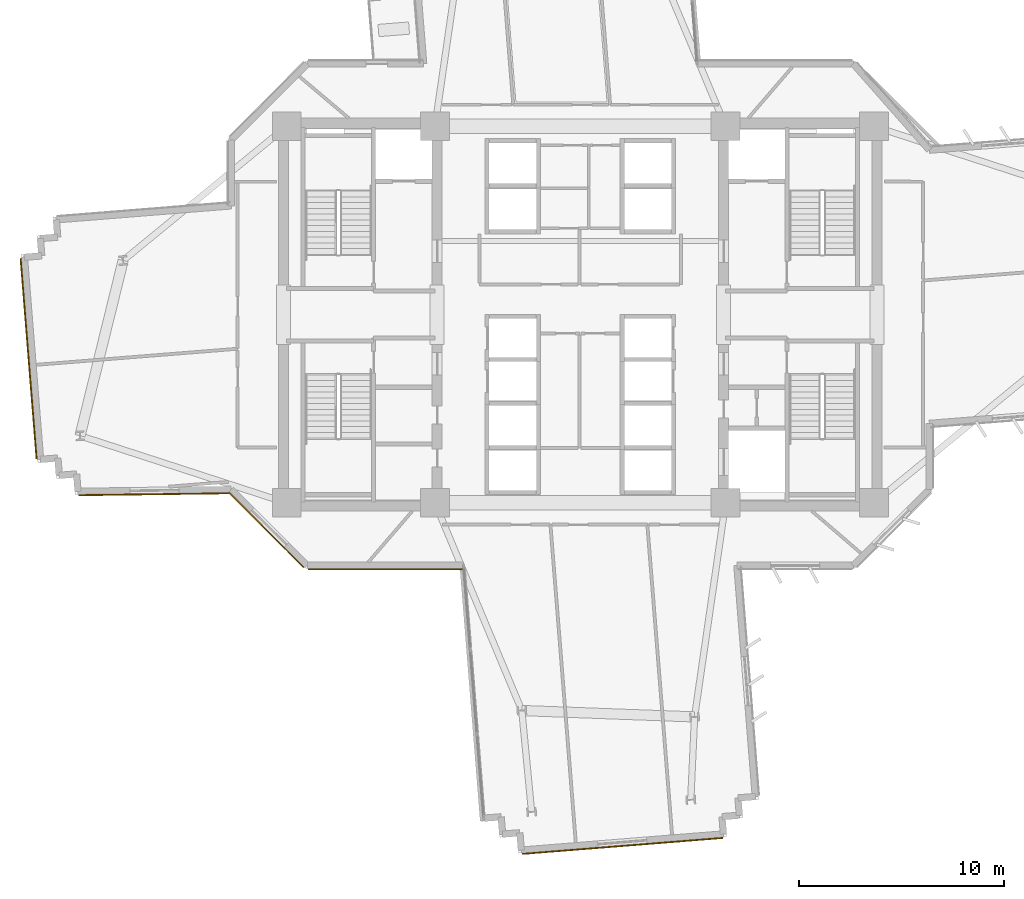
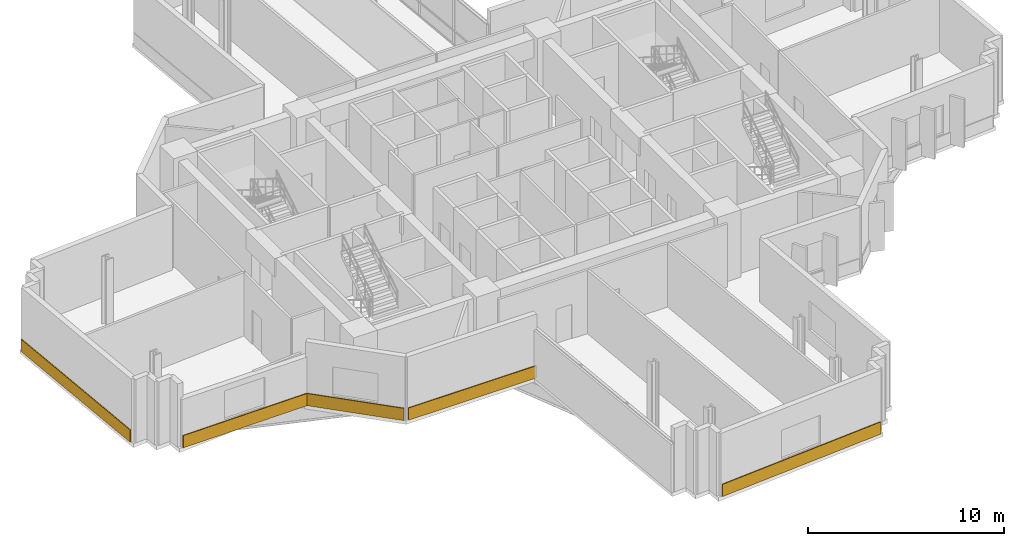
# One storey, part 11 of 15: 5 coverings.
"""IFC4 building model written with IfcOpenShell, lengths in metres."""

from ifc_helpers import new_model, si_unit, direction, frame, origin, origin_2d, place, context, subcontext, project, spatial, rectangle, extrude, source, transform, mapped, material, layer, layer_set, type_object, element, save


model = new_model("IFC4")

# Units and contexts
model_context = context("Model", 3, precision=1e-05, world=origin(), true_north=direction((0.0, 1.0)))
body_context = subcontext(model_context, "Body", "Model", "MODEL_VIEW")
ifc_project = project(units=[si_unit("LENGTHUNIT", "METRE"), si_unit("AREAUNIT", "SQUARE_METRE"), si_unit("VOLUMEUNIT", "CUBIC_METRE"), si_unit("PLANEANGLEUNIT", "RADIAN"), si_unit("MASSUNIT", "GRAM", prefix="KILO")], contexts=[model_context])

# Site, building, storey
site_placement = place(None, origin())
site = spatial("IfcSite", under=ifc_project, at=site_placement, CompositionType="ELEMENT")
building_placement = place(site_placement, origin())
building = spatial("IfcBuilding", under=site, at=building_placement, Name="Zahravan Cultural Tower", CompositionType="ELEMENT")
storey_placement = place(building_placement, frame((0.0, 0.0, 79.5)))
storey = spatial("IfcBuildingStorey", under=building, at=storey_placement, Name="L17", CompositionType="ELEMENT", Elevation=79.5)

# Coverings
ifc_material = material(Name="Terracotta ceramic cladding", Category="masonry")
ifc_layer = layer(ifc_material, 0.06005859375)
ifc_layer_set = layer_set([ifc_layer], Name="Terracotta ceramic cladding")
covering_type = type_object("IfcCoveringType", Name="COV-CLAD-TC60", PredefinedType="CLADDING", material=ifc_layer_set)
shared_shape_1 = source(origin(), body_context, "Body", "SweptSolid", [
    extrude(rectangle(XDim=9.820068359375, YDim=0.06005859375, at=origin_2d()), origin(), (0.0, 0.0, 1.0), 0.760009765625),
])
for number, where, z_axis, x_axis, name in (
    (1, (38.070556640625, 1.037353515625, 0.02001953125), (0.0, 0.0, 1.0), (-0.996834624954, -0.079503021908, 0.0), "L17 Terracotta Spandrel Cladding 20"),
    (2, (9.04052734375, 24.849853515625, 0.02001953125), (0.0, 0.0, 1.0), (-0.079503021908, 0.996834624954, 0.0), "L17 Terracotta Spandrel Cladding 32"),
):
    element("IfcCovering", number, at=place(storey_placement, frame(where, z_axis=z_axis, x_axis=x_axis)), inside=storey, type_object=covering_type, Name=name, PredefinedType="CLADDING", context=body_context, shape_type="MappedRepresentation", body=[
        mapped(shared_shape_1, transform((0.0, 0.0, 0.0), x_axis=(1.0, 0.0, 0.0), y_axis=(0.0, 1.0, 0.0), z_axis=(0.0, 0.0, 1.0), scale=1.0)),
    ])
shared_shape_2 = source(origin(), body_context, "Body", "SweptSolid", [
    extrude(rectangle(XDim=5.157958984375, YDim=0.06005859375, at=origin_2d()), origin(), (0.0, 0.0, 1.0), 0.760009765625),
])
covering_1_placement = place(storey_placement, frame((20.668212890625, 16.46826171875, 0.02001953125), z_axis=(0.0, 0.0, 1.0), x_axis=(-0.707106781187, 0.707106781187, 0.0)))
element("IfcCovering", 3, at=covering_1_placement, inside=storey, type_object=covering_type, Name="L17 Terracotta Spandrel Cladding 26", PredefinedType="CLADDING", context=body_context, shape_type="MappedRepresentation", body=[
    mapped(shared_shape_2, transform((0.0, 0.0, 0.0), x_axis=(1.0, 0.0, 0.0), y_axis=(0.0, 1.0, 0.0), z_axis=(0.0, 0.0, 1.0), scale=1.0)),
])
shared_shape_3 = source(origin(), body_context, "Body", "SweptSolid", [
    extrude(rectangle(XDim=7.53857421875, YDim=0.06005859375, at=origin_2d()), origin(), (0.0, 0.0, 1.0), 0.760009765625),
])
covering_2_placement = place(storey_placement, frame((26.477294921875, 14.554931640625, 0.02001953125), z_axis=(0.0, 0.0, 1.0), x_axis=(-1.0, 0.0, 0.0)))
element("IfcCovering", 4, at=covering_2_placement, inside=storey, type_object=covering_type, Name="L17 Terracotta Spandrel Cladding 25", PredefinedType="CLADDING", context=body_context, shape_type="MappedRepresentation", body=[
    mapped(shared_shape_3, transform((0.0, 0.0, 0.0), x_axis=(1.0, 0.0, 0.0), y_axis=(0.0, 1.0, 0.0), z_axis=(0.0, 0.0, 1.0), scale=1.0)),
])
shared_shape_4 = source(origin(), body_context, "Body", "SweptSolid", [
    extrude(rectangle(XDim=7.3916015625, YDim=0.06005859375, at=origin_2d()), origin(), (0.0, 0.0, 1.0), 0.760009765625),
])
covering_3_placement = place(storey_placement, frame((15.197021484375, 18.224365234375, 0.02001953125), z_axis=(0.0, 0.0, 1.0), x_axis=(-0.999915919307, -0.012967432893, 0.0)))
element("IfcCovering", 5, at=covering_3_placement, inside=storey, type_object=covering_type, Name="L17 Terracotta Spandrel Cladding 27", PredefinedType="CLADDING", context=body_context, shape_type="MappedRepresentation", body=[
    mapped(shared_shape_4, transform((0.0, 0.0, 0.0), x_axis=(1.0, 0.0, 0.0), y_axis=(0.0, 1.0, 0.0), z_axis=(0.0, 0.0, 1.0), scale=1.0)),
])

save(model, "model.ifc")
